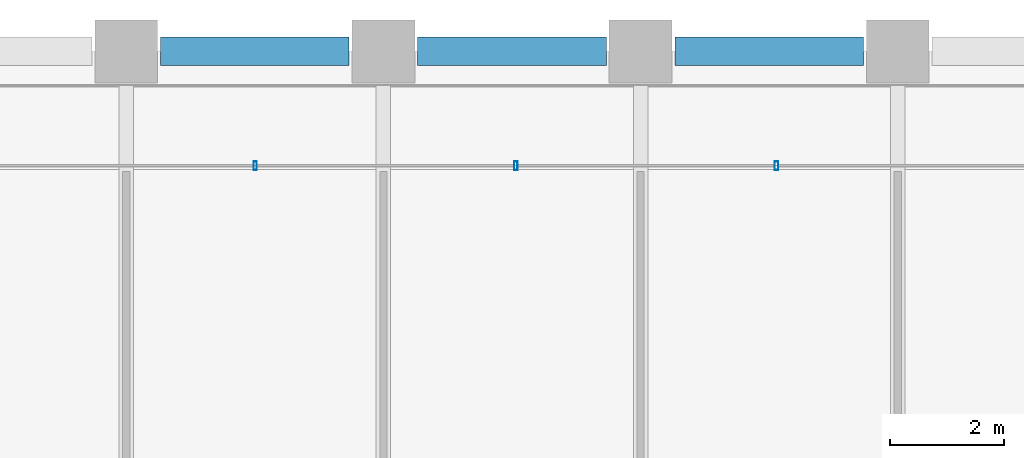
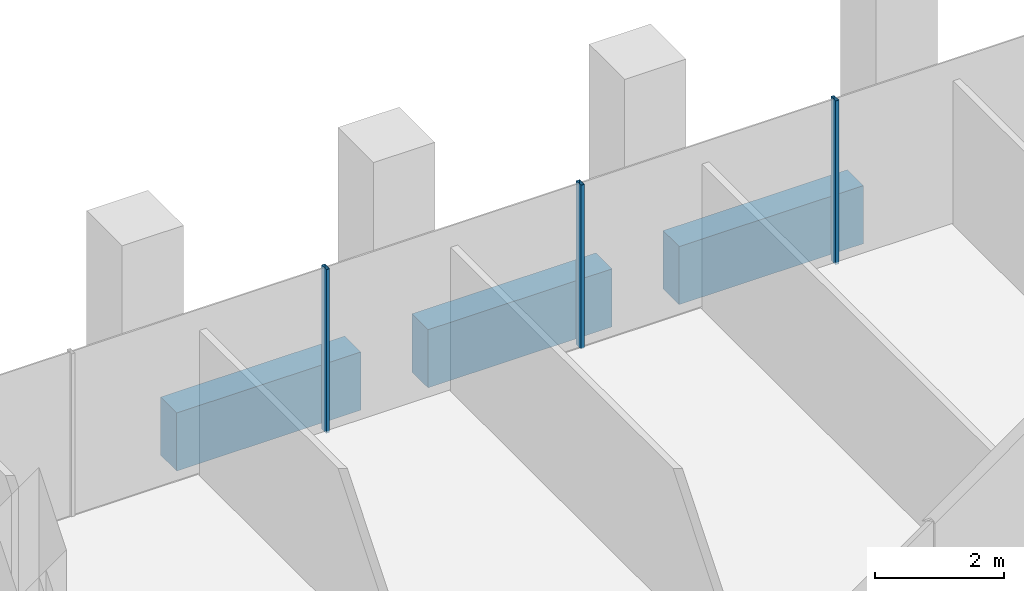
# One storey, part 29 of 55: 3 beams, 3 members, 1 element without a shape of its own.
"""IFC4 building model written with IfcOpenShell, lengths in metres."""

from ifc_helpers import new_model, si_unit, direction, frame, origin, origin_2d, place, context, subcontext, project, spatial, rectangle, hollow_rectangle, extrude, material, material_profile, profile_set, type_object, element, aggregate, save


model = new_model("IFC4")

# Units and contexts
model_context = context("Model", 3, precision=1e-05, world=origin(), true_north=direction((0.0, 1.0)))
body_context = subcontext(model_context, "Body", "Model", "MODEL_VIEW")
ifc_project = project(units=[si_unit("LENGTHUNIT", "METRE"), si_unit("AREAUNIT", "SQUARE_METRE"), si_unit("VOLUMEUNIT", "CUBIC_METRE"), si_unit("PLANEANGLEUNIT", "RADIAN"), si_unit("MASSUNIT", "GRAM", prefix="KILO")], contexts=[model_context])

# Site, building, storey
site_placement = place(None, origin())
site = spatial("IfcSite", under=ifc_project, at=site_placement, CompositionType="ELEMENT")
building_placement = place(site_placement, origin())
building = spatial("IfcBuilding", under=site, at=building_placement, Name="Altepetl Exchange Towers", CompositionType="ELEMENT")
storey_placement = place(building_placement, frame((0.0, 0.0, 47.39990234375)))
storey = spatial("IfcBuildingStorey", under=building, at=storey_placement, Name="L10", CompositionType="ELEMENT", Elevation=47.39990234375)

# Curtain wall, members
ifc_material_1 = material(Name="Aluminium 6063-T6 glazing", Category="aluminium")
curtain_wall_type = type_object("IfcCurtainWallType", Name="Loggia glazing system", PredefinedType="NOTDEFINED", material=ifc_material_1)
curtain_wall_placement = place(storey_placement, origin())
curtain_wall = element("IfcCurtainWall", 1, at=curtain_wall_placement, inside=storey, type_object=curtain_wall_type, Name="CW1 run", PredefinedType="NOTDEFINED")
ifc_material_2 = material(Name="Aluminium 6063-T6", Category="aluminium")
ifc_material_profile_1 = material_profile(ifc_material_2, hollow_rectangle(XDim=0.06005859375, YDim=0.14990234375, WallThickness=0.0029296875, at=origin_2d()), Name="Mullion 60x150 aluminium")
ifc_profile_set_1 = profile_set([ifc_material_profile_1], Name="Aluminium 6063-T6")
member_type = type_object("IfcMemberType", Name="Mullion 60x150 aluminium", PredefinedType="MULLION", material=ifc_profile_set_1)
member_1_placement = place(storey_placement, frame((56.378662109375, 70.0, 0.0), z_axis=(0.0, 0.0, 1.0), x_axis=(-1.0, 0.0, 0.0)))
member_1 = element("IfcMember", 2, at=member_1_placement, type_object=member_type, Name="MU1 mullion", PredefinedType="MULLION", context=body_context, shape_type="SweptSolid", body=[
    extrude(hollow_rectangle(XDim=0.06005859375, YDim=0.14990234375, WallThickness=0.0029296875, at=origin_2d()), origin(), (0.0, 0.0, 1.0), 3.10009765625),
])
member_2_placement = place(storey_placement, frame((51.81787109375, 70.0, 0.0), z_axis=(0.0, 0.0, 1.0), x_axis=(-1.0, 0.0, 0.0)))
member_2 = element("IfcMember", 3, at=member_2_placement, type_object=member_type, Name="MU1 mullion", PredefinedType="MULLION", context=body_context, shape_type="SweptSolid", body=[
    extrude(hollow_rectangle(XDim=0.06005859375, YDim=0.14990234375, WallThickness=0.0029296875, at=origin_2d()), origin(), (0.0, 0.0, 1.0), 3.10009765625),
])
member_3_placement = place(storey_placement, frame((47.257080078125, 70.0, 0.0), z_axis=(0.0, 0.0, 1.0), x_axis=(-1.0, 0.0, 0.0)))
member_3 = element("IfcMember", 4, at=member_3_placement, type_object=member_type, Name="MU1 mullion", PredefinedType="MULLION", context=body_context, shape_type="SweptSolid", body=[
    extrude(hollow_rectangle(XDim=0.06005859375, YDim=0.14990234375, WallThickness=0.0029296875, at=origin_2d()), origin(), (0.0, 0.0, 1.0), 3.10009765625),
])
aggregate(curtain_wall, [member_1, member_2, member_3])

# Beams
ifc_material_3 = material(Name="Concrete C50/60 precast with cantera rosa facing", Category="concrete")
ifc_material_profile_2 = material_profile(ifc_material_3, rectangle(XDim=0.5, YDim=1.10009765625, at=origin_2d()), Name="500 x 1100")
ifc_profile_set_2 = profile_set([ifc_material_profile_2], Name="Concrete C50/60 precast with cantera rosa facing")
beam_type = type_object("IfcBeamType", Name="Spandrel beam 500x1100 cantera rosa", PredefinedType="SPANDREL", material=ifc_profile_set_2)
for number, where, z_axis, x_axis, name in (
    (5, (57.89990234375, 72.0, -0.699951171875), (-1.0, 0.0, 0.0), (0.0, -1.0, 0.0), "sp:A:L10:026"),
    (6, (53.39990234375, 72.0, -0.699951171875), (-1.0, 0.0, 0.0), (0.0, -1.0, 0.0), "sp:A:L10:027"),
    (7, (48.89990234375, 72.0, -0.699951171875), (-1.0, 0.0, 0.0), (0.0, -1.0, 0.0), "sp:A:L10:028"),
):
    element("IfcBeam", number, at=place(storey_placement, frame(where, z_axis=z_axis, x_axis=x_axis)), inside=storey, type_object=beam_type, Name=name, PredefinedType="SPANDREL", context=body_context, shape_type="SweptSolid", body=[
        extrude(rectangle(XDim=0.5, YDim=1.10009765625, at=origin_2d()), origin(), (0.0, 0.0, 1.0), 3.2998046875),
    ])

save(model, "model.ifc")
